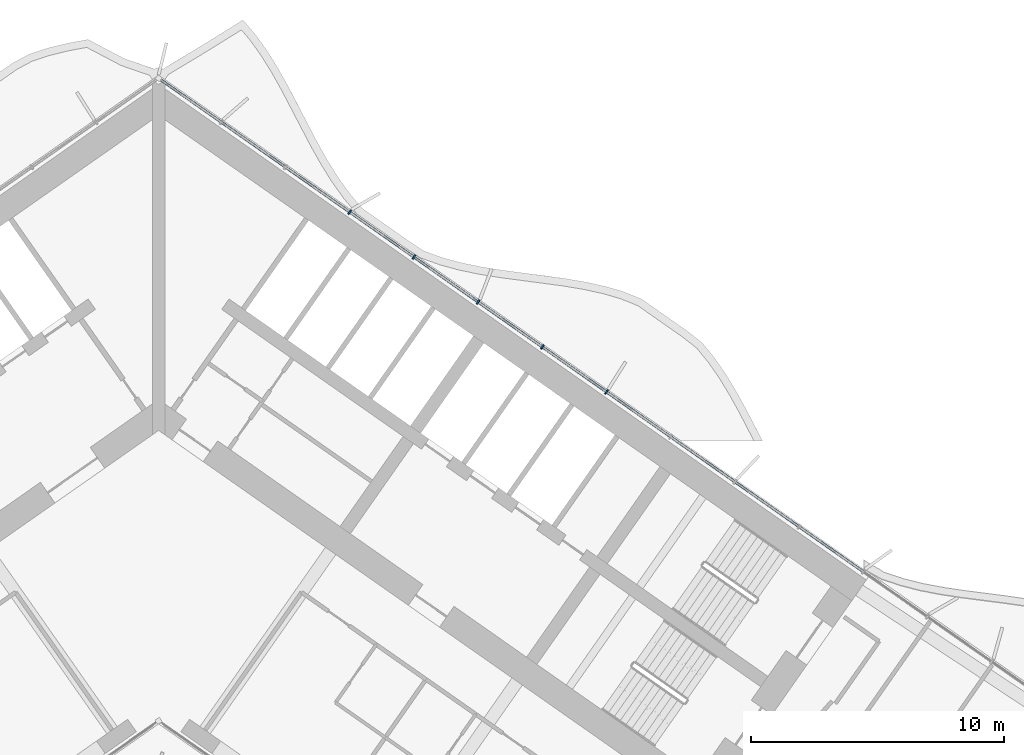
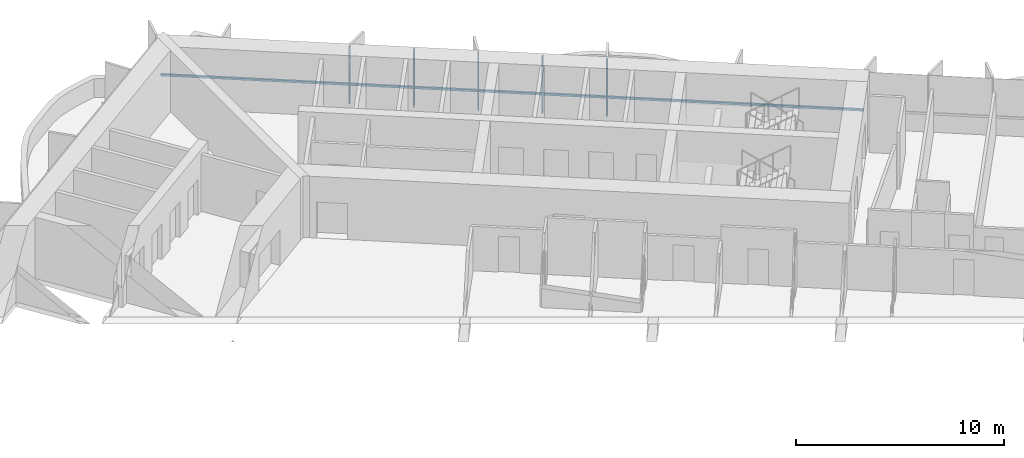
# One storey, part 8 of 23: 6 members, 1 element without a shape of its own.
"""IFC4 building model written with IfcOpenShell, lengths in metres."""

from ifc_helpers import new_model, si_unit, direction, frame, origin, origin_2d, place, context, subcontext, project, spatial, rectangle, extrude, material, material_profile, profile_set, type_object, element, aggregate, save


model = new_model("IFC4")

# Units and contexts
model_context = context("Model", 3, precision=1e-05, world=origin(), true_north=direction((0.0, 1.0)))
body_context = subcontext(model_context, "Body", "Model", "MODEL_VIEW")
ifc_project = project(units=[si_unit("LENGTHUNIT", "METRE"), si_unit("AREAUNIT", "SQUARE_METRE"), si_unit("VOLUMEUNIT", "CUBIC_METRE"), si_unit("PLANEANGLEUNIT", "RADIAN"), si_unit("MASSUNIT", "GRAM", prefix="KILO")], contexts=[model_context])

# Site, building, storey
site_placement = place(None, origin())
site = spatial("IfcSite", under=ifc_project, at=site_placement, CompositionType="ELEMENT")
building_placement = place(site_placement, origin())
building = spatial("IfcBuilding", under=site, at=building_placement, Name="Tel Ilan Convention Tower", CompositionType="ELEMENT")
storey_placement = place(building_placement, frame((0.0, 0.0, 101.300048828125)))
storey = spatial("IfcBuildingStorey", under=building, at=storey_placement, Name="L21", CompositionType="ELEMENT", Elevation=101.300048828125)

# Curtain wall, members
ifc_material_1 = material(Name="Aluminium, bronze anodised", Category="aluminium")
curtain_wall_type = type_object("IfcCurtainWallType", Name="CW2 STICK CURTAIN WALL, SPANDREL PANELS", PredefinedType="NOTDEFINED", material=ifc_material_1)
curtain_wall_placement = place(storey_placement, origin())
curtain_wall = element("IfcCurtainWall", 1, at=curtain_wall_placement, inside=storey, type_object=curtain_wall_type, Name="Curtain wall CW2-19.01", PredefinedType="NOTDEFINED")
ifc_material_2 = material(Name="Aluminium, bronze anodised", Category="aluminium")
ifc_material_profile_1 = material_profile(ifc_material_2, rectangle(XDim=0.06005859375, YDim=0.199951171875, at=origin_2d()), Name="CW MULLION 60x200")
ifc_profile_set_1 = profile_set([ifc_material_profile_1], Name="Aluminium, bronze anodised")
member_type_1 = type_object("IfcMemberType", Name="CW MULLION 60x200", PredefinedType="MULLION", material=ifc_profile_set_1)
member_1_placement = place(storey_placement, frame((17.701171875, 0.301513671875, 0.0), z_axis=(0.0, 0.0, 1.0), x_axis=(-0.819152044289, 0.573576436351, 0.0)))
member_1 = element("IfcMember", 2, at=member_1_placement, type_object=member_type_1, Name="Mullion", PredefinedType="MULLION", context=body_context, shape_type="SweptSolid", body=[
    extrude(rectangle(XDim=0.06005859375, YDim=0.199951171875, at=origin_2d()), origin(), (0.0, 0.0, 1.0), 3.320068359375),
])
member_2_placement = place(storey_placement, frame((15.1640625, 2.077880859375, 0.0), z_axis=(0.0, 0.0, 1.0), x_axis=(-0.819152044289, 0.573576436351, 0.0)))
member_2 = element("IfcMember", 3, at=member_2_placement, type_object=member_type_1, Name="Mullion", PredefinedType="MULLION", context=body_context, shape_type="SweptSolid", body=[
    extrude(rectangle(XDim=0.06005859375, YDim=0.199951171875, at=origin_2d()), origin(), (0.0, 0.0, 1.0), 3.320068359375),
])
member_3_placement = place(storey_placement, frame((12.627197265625, 3.854248046875, 0.0), z_axis=(0.0, 0.0, 1.0), x_axis=(-0.819152044289, 0.573576436351, 0.0)))
member_3 = element("IfcMember", 4, at=member_3_placement, type_object=member_type_1, Name="Mullion", PredefinedType="MULLION", context=body_context, shape_type="SweptSolid", body=[
    extrude(rectangle(XDim=0.06005859375, YDim=0.199951171875, at=origin_2d()), origin(), (0.0, 0.0, 1.0), 3.320068359375),
])
member_4_placement = place(storey_placement, frame((10.09033203125, 5.630615234375, 0.0), z_axis=(0.0, 0.0, 1.0), x_axis=(-0.819152044289, 0.573576436351, 0.0)))
member_4 = element("IfcMember", 5, at=member_4_placement, type_object=member_type_1, Name="Mullion", PredefinedType="MULLION", context=body_context, shape_type="SweptSolid", body=[
    extrude(rectangle(XDim=0.06005859375, YDim=0.199951171875, at=origin_2d()), origin(), (0.0, 0.0, 1.0), 3.320068359375),
])
member_5_placement = place(storey_placement, frame((7.553466796875, 7.406982421875, 0.0), z_axis=(0.0, 0.0, 1.0), x_axis=(-0.819152044289, 0.573576436351, 0.0)))
member_5 = element("IfcMember", 6, at=member_5_placement, type_object=member_type_1, Name="Mullion", PredefinedType="MULLION", context=body_context, shape_type="SweptSolid", body=[
    extrude(rectangle(XDim=0.06005859375, YDim=0.199951171875, at=origin_2d()), origin(), (0.0, 0.0, 1.0), 3.320068359375),
])
ifc_material_3 = material(Name="Aluminium, bronze anodised", Category="aluminium")
ifc_material_profile_2 = material_profile(ifc_material_3, rectangle(XDim=0.10009765625, YDim=0.1201171875, at=origin_2d()), Name="CW TRANSOM 100x120")
ifc_profile_set_2 = profile_set([ifc_material_profile_2], Name="Aluminium, bronze anodised")
member_type_2 = type_object("IfcMemberType", Name="CW TRANSOM 100x120", PredefinedType="USERDEFINED", material=ifc_profile_set_2)
member_6_placement = place(storey_placement, frame((27.82421875, -6.78662109375, 1.099853515625), z_axis=(-0.819151916241, 0.573576619222, 0.0), x_axis=(-0.573576619222, -0.819151916241, 0.0)))
member_6 = element("IfcMember", 7, at=member_6_placement, type_object=member_type_2, Name="Transom", ObjectType="TRANSOM", PredefinedType="USERDEFINED", context=body_context, shape_type="SweptSolid", body=[
    extrude(rectangle(XDim=0.10009765625, YDim=0.1201171875, at=origin_2d()), origin(), (0.0, 0.0, 1.0), 33.837158203125),
])
aggregate(curtain_wall, [member_1, member_2, member_3, member_4, member_5, member_6])

save(model, "model.ifc")
